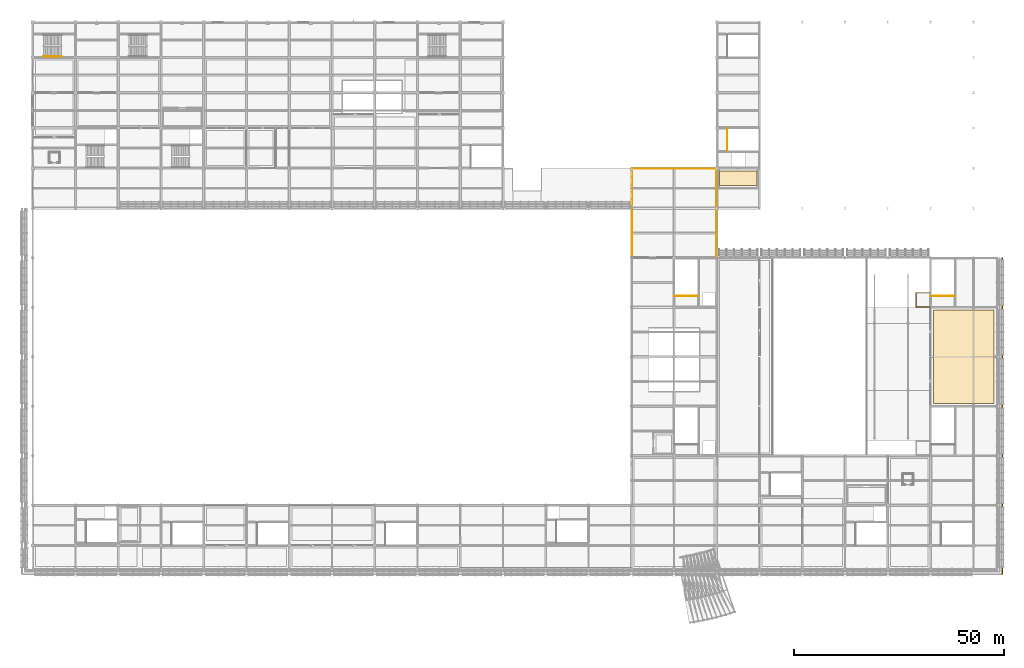
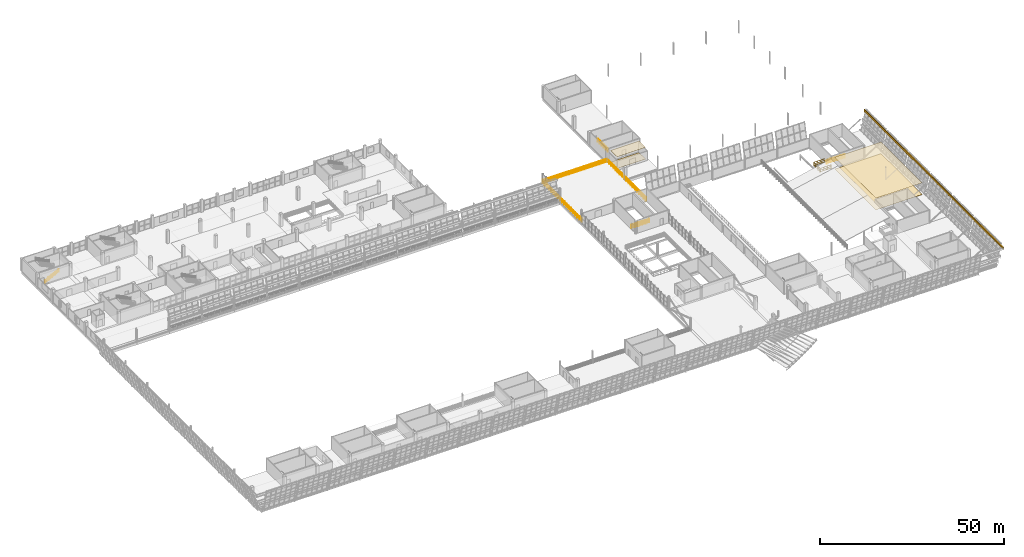
# One storey, part 155 of 157: 9 railings, 4 coverings.
"""IFC4 building model written with IfcOpenShell, lengths in metres."""

from ifc_helpers import new_model, si_unit, direction, frame, origin, origin_2d, place, context, subcontext, project, spatial, polyline, rectangle, circle, outline, extrude, material, layer, layer_set, type_object, element, save


model = new_model("IFC4")

# Units and contexts
model_context = context("Model", 3, precision=1e-05, world=origin(), true_north=direction((0.0, 1.0)))
body_context = subcontext(model_context, "Body", "Model", "MODEL_VIEW")
ifc_project = project(units=[si_unit("LENGTHUNIT", "METRE"), si_unit("AREAUNIT", "SQUARE_METRE"), si_unit("VOLUMEUNIT", "CUBIC_METRE"), si_unit("PLANEANGLEUNIT", "RADIAN"), si_unit("MASSUNIT", "GRAM", prefix="KILO")], contexts=[model_context])

# Site, building, storey
site_placement = place(None, origin())
site = spatial("IfcSite", under=ifc_project, at=site_placement, CompositionType="ELEMENT")
building_placement = place(site_placement, origin())
building = spatial("IfcBuilding", under=site, at=building_placement, Name="Brelvane Convention Centre", CompositionType="ELEMENT")
storey_placement = place(building_placement, frame((0.0, 0.0, 10.800048828125)))
storey = spatial("IfcBuildingStorey", under=building, at=storey_placement, Name="L02", CompositionType="ELEMENT", Elevation=10.800048828125)

# Coverings
ifc_material_1 = material(Name="Moisture-Resistant Acoustic Gypsum Ceiling Tile Grade A")
ifc_layer_1 = layer(ifc_material_1, 0.02490234375)
ifc_layer_set_1 = layer_set([ifc_layer_1], Name="Moisture-Resistant Acoustic Gypsum Ceiling Tile Grade A")
covering_type_1 = type_object("IfcCoveringType", Name="Interior Finish CL-GYP-25", PredefinedType="CEILING", material=ifc_layer_set_1)
covering_1_placement = place(storey_placement, frame((0.0, 0.0, 3.875)))
element("IfcCovering", 1, at=covering_1_placement, inside=storey, type_object=covering_type_1, Name="Simultaneous Interpretation Suite Acoustic Ceiling (CL-GYP-25)", PredefinedType="CEILING", context=body_context, shape_type="SweptSolid", body=[
    extrude(outline(polyline([(214.830078125, 53.030029296875), (229.3701171875, 53.030029296875), (229.3701171875, 75.3701171875), (214.830078125, 75.3701171875), (214.830078125, 53.030029296875)])), origin(), (0.0, 0.0, 1.0), 0.02490234375),
])
ifc_material_2 = material(Name="Moisture-Resistant Acoustic Gypsum Ceiling Tile Grade A")
ifc_layer_2 = layer(ifc_material_2, 0.0419921875)
ifc_layer_set_2 = layer_set([ifc_layer_2], Name="Moisture-Resistant Acoustic Gypsum Ceiling Tile Grade A")
covering_type_2 = type_object("IfcCoveringType", Name="Interior Finish CL-GYP-42", PredefinedType="CEILING", material=ifc_layer_set_2)
covering_2_placement = place(storey_placement, frame((0.0, 0.0, 3.85791015625)))
element("IfcCovering", 2, at=covering_2_placement, inside=storey, type_object=covering_type_2, Name="Firefighting Lift Lobby C5 Acoustic Ceiling (CL-GYP-42)", PredefinedType="CEILING", context=body_context, shape_type="SweptSolid", body=[
    extrude(outline(polyline([(163.830078125, 105.030029296875), (172.77001953125, 105.030029296875), (172.77001953125, 108.570068359375), (163.830078125, 108.570068359375), (163.830078125, 105.030029296875)])), origin(), (0.0, 0.0, 1.0), 0.0419921875),
])
ifc_material_3 = material(Name="Solution-Dyed Heavy Contract Wool Carpet Class 1")
ifc_layer_3 = layer(ifc_material_3, 0.028076171875)
ifc_layer_set_3 = layer_set([ifc_layer_3], Name="Solution-Dyed Heavy Contract Wool Carpet Class 1")
covering_type_3 = type_object("IfcCoveringType", Name="Interior Finish FL-CPT-28", PredefinedType="FLOORING", material=ifc_layer_set_3)
covering_3_placement = place(storey_placement, origin())
element("IfcCovering", 3, at=covering_3_placement, inside=storey, type_object=covering_type_3, Name="Simultaneous Interpretation Suite Floor Finish (FL-CPT-28)", PredefinedType="FLOORING", context=body_context, shape_type="SweptSolid", body=[
    extrude(outline(polyline([(214.830078125, 53.030029296875), (229.3701171875, 53.030029296875), (229.3701171875, 75.3701171875), (214.830078125, 75.3701171875), (214.830078125, 53.030029296875)])), origin(), (0.0, 0.0, 1.0), 0.02783203125),
])
ifc_material_4 = material(Name="Polished Basalt-Aggregate Terrazzo Screed Concrete M30", Category="masonry")
ifc_layer_4 = layer(ifc_material_4, 0.054931640625)
ifc_layer_set_4 = layer_set([ifc_layer_4], Name="Polished Basalt-Aggregate Terrazzo Screed Concrete M30")
covering_type_4 = type_object("IfcCoveringType", Name="Interior Finish FL-STN-55", PredefinedType="FLOORING", material=ifc_layer_set_4)
covering_4_placement = place(storey_placement, origin())
element("IfcCovering", 4, at=covering_4_placement, inside=storey, type_object=covering_type_4, Name="Firefighting Lift Lobby C5 Floor Finish (FL-STN-55)", PredefinedType="FLOORING", context=body_context, shape_type="SweptSolid", body=[
    extrude(outline(polyline([(163.830078125, 105.030029296875), (172.77001953125, 105.030029296875), (172.77001953125, 108.570068359375), (163.830078125, 108.570068359375), (163.830078125, 105.030029296875)])), origin(), (0.0, 0.0, 1.0), 0.054931640625),
])

# Railings
ifc_material_5 = material(Name="Steel E350 (350 MPa)", Category="steel")
railing_type_1 = type_object("IfcRailingType", Name="Railing BL-ATR-2", PredefinedType="BALUSTRADE", material=ifc_material_5)
railing_1_placement = place(storey_placement, frame((214.10009765625, 79.5, 0.0)))
element("IfcRailing", 5, at=railing_1_placement, inside=storey, type_object=railing_type_1, Name="Railing BL-ATR-2 L02-plen_vom2_n_guard", PredefinedType="BALUSTRADE", context=body_context, shape_type="SweptSolid", body=[
    extrude(circle(Radius=0.02392578125, at=origin_2d()), frame((0.0, 0.0, 1.19580078125), z_axis=(-1.0, 0.0, 0.0), x_axis=(0.0, -1.0, 0.0)), (0.0, 0.0, 1.0), 3.400146484375),
    extrude(circle(Radius=0.02392578125, at=origin_2d()), frame((0.0, 0.0, 0.63427734375), z_axis=(-1.0, 0.0, 0.0), x_axis=(0.0, -1.0, 0.0)), (0.0, 0.0, 1.0), 3.400146484375),
    extrude(circle(Radius=0.02392578125, at=origin_2d()), frame((0.0, 0.0, 0.139892578125), z_axis=(-1.0, 0.0, 0.0), x_axis=(0.0, -1.0, 0.0)), (0.0, 0.0, 1.0), 3.400146484375),
    extrude(circle(Radius=0.02392578125, at=origin_2d()), frame((-3.400146484375, 0.0, 1.19580078125), z_axis=(0.0, -1.0, 0.0), x_axis=(1.0, 0.0, 0.0)), (0.0, 0.0, 1.0), 3.39990234375),
    extrude(circle(Radius=0.02392578125, at=origin_2d()), frame((-3.400146484375, 0.0, 0.63427734375), z_axis=(0.0, -1.0, 0.0), x_axis=(1.0, 0.0, 0.0)), (0.0, 0.0, 1.0), 3.39990234375),
    extrude(circle(Radius=0.02392578125, at=origin_2d()), frame((-3.400146484375, 0.0, 0.139892578125), z_axis=(0.0, -1.0, 0.0), x_axis=(1.0, 0.0, 0.0)), (0.0, 0.0, 1.0), 3.39990234375),
    extrude(circle(Radius=0.02392578125, at=origin_2d()), frame((-3.400146484375, -3.39990234375, 1.19580078125), z_axis=(1.0, 0.0, 0.0), x_axis=(0.0, 1.0, 0.0)), (0.0, 0.0, 1.0), 3.400146484375),
    extrude(circle(Radius=0.02392578125, at=origin_2d()), frame((-3.400146484375, -3.39990234375, 0.63427734375), z_axis=(1.0, 0.0, 0.0), x_axis=(0.0, 1.0, 0.0)), (0.0, 0.0, 1.0), 3.400146484375),
    extrude(circle(Radius=0.02392578125, at=origin_2d()), frame((-3.400146484375, -3.39990234375, 0.139892578125), z_axis=(1.0, 0.0, 0.0), x_axis=(0.0, 1.0, 0.0)), (0.0, 0.0, 1.0), 3.400146484375),
    extrude(circle(Radius=0.02099609375, at=origin_2d()), origin(), (0.0, 0.0, 1.0), 1.171875),
    extrude(circle(Radius=0.02099609375, at=origin_2d()), frame((-1.13330078125, 0.0, 0.0)), (0.0, 0.0, 1.0), 1.171875),
    extrude(circle(Radius=0.02099609375, at=origin_2d()), frame((-2.266845703125, 0.0, 0.0)), (0.0, 0.0, 1.0), 1.171875),
    extrude(circle(Radius=0.02099609375, at=origin_2d()), frame((-3.400146484375, 0.0, 0.0)), (0.0, 0.0, 1.0), 1.171875),
    extrude(circle(Radius=0.02099609375, at=origin_2d()), frame((-3.400146484375, -1.13330078125, 0.0)), (0.0, 0.0, 1.0), 1.171875),
    extrude(circle(Radius=0.02099609375, at=origin_2d()), frame((-3.400146484375, -2.2666015625, 0.0)), (0.0, 0.0, 1.0), 1.171875),
    extrude(circle(Radius=0.02099609375, at=origin_2d()), frame((-3.400146484375, -3.39990234375, 0.0)), (0.0, 0.0, 1.0), 1.171875),
    extrude(circle(Radius=0.02099609375, at=origin_2d()), frame((-2.266845703125, -3.39990234375, 0.0)), (0.0, 0.0, 1.0), 1.171875),
    extrude(circle(Radius=0.02099609375, at=origin_2d()), frame((-1.13330078125, -3.39990234375, 0.0)), (0.0, 0.0, 1.0), 1.171875),
    extrude(circle(Radius=0.02099609375, at=origin_2d()), frame((0.0, -3.39990234375, 0.0)), (0.0, 0.0, 1.0), 1.171875),
])
ifc_material_6 = material(Name="Steel E350 (350 MPa)", Category="steel")
railing_type_2 = type_object("IfcRailingType", Name="Railing BL-CU-1", PredefinedType="BALUSTRADE", material=ifc_material_6)
railing_2_placement = place(storey_placement, frame((231.306884765625, 12.29296875, 5.39990234375)))
element("IfcRailing", 6, at=railing_2_placement, inside=storey, type_object=railing_type_2, Name="Railing BL-CU-1 L02-cu_hull_e_6", PredefinedType="BALUSTRADE", context=body_context, shape_type="SweptSolid", body=[
    extrude(rectangle(XDim=0.280029296875, YDim=0.6201171875, at=origin_2d()), frame((0.0, 0.0, 0.81005859375), z_axis=(0.0, 1.0, 0.0), x_axis=(-1.0, 0.0, 0.0)), (0.0, 0.0, 1.0), 75.507080078125),
    extrude(circle(Radius=0.02099609375, at=origin_2d()), origin(), (0.0, 0.0, 1.0), 1.072021484375),
    extrude(circle(Radius=0.02099609375, at=origin_2d()), frame((0.0, 1.198486328125, 0.0)), (0.0, 0.0, 1.0), 1.072021484375),
    extrude(circle(Radius=0.02099609375, at=origin_2d()), frame((0.0, 2.39697265625, 0.0)), (0.0, 0.0, 1.0), 1.072021484375),
    extrude(circle(Radius=0.02099609375, at=origin_2d()), frame((0.0, 3.595458984375, 0.0)), (0.0, 0.0, 1.0), 1.072021484375),
    extrude(circle(Radius=0.02099609375, at=origin_2d()), frame((0.0, 4.794189453125, 0.0)), (0.0, 0.0, 1.0), 1.072021484375),
    extrude(circle(Radius=0.02099609375, at=origin_2d()), frame((0.0, 5.99267578125, 0.0)), (0.0, 0.0, 1.0), 1.072021484375),
    extrude(circle(Radius=0.02099609375, at=origin_2d()), frame((0.0, 7.191162109375, 0.0)), (0.0, 0.0, 1.0), 1.072021484375),
    extrude(circle(Radius=0.02099609375, at=origin_2d()), frame((0.0, 8.3896484375, 0.0)), (0.0, 0.0, 1.0), 1.072021484375),
    extrude(circle(Radius=0.02099609375, at=origin_2d()), frame((0.0, 9.588134765625, 0.0)), (0.0, 0.0, 1.0), 1.072021484375),
    extrude(circle(Radius=0.02099609375, at=origin_2d()), frame((0.0, 10.78662109375, 0.0)), (0.0, 0.0, 1.0), 1.072021484375),
    extrude(circle(Radius=0.02099609375, at=origin_2d()), frame((0.0, 11.9853515625, 0.0)), (0.0, 0.0, 1.0), 1.072021484375),
    extrude(circle(Radius=0.02099609375, at=origin_2d()), frame((0.0, 13.183837890625, 0.0)), (0.0, 0.0, 1.0), 1.072021484375),
    extrude(circle(Radius=0.02099609375, at=origin_2d()), frame((0.0, 14.38232421875, 0.0)), (0.0, 0.0, 1.0), 1.072021484375),
    extrude(circle(Radius=0.02099609375, at=origin_2d()), frame((0.0, 15.580810546875, 0.0)), (0.0, 0.0, 1.0), 1.072021484375),
    extrude(circle(Radius=0.02099609375, at=origin_2d()), frame((0.0, 16.779296875, 0.0)), (0.0, 0.0, 1.0), 1.072021484375),
    extrude(circle(Radius=0.02099609375, at=origin_2d()), frame((0.0, 17.977783203125, 0.0)), (0.0, 0.0, 1.0), 1.072021484375),
    extrude(circle(Radius=0.02099609375, at=origin_2d()), frame((0.0, 19.176513671875, 0.0)), (0.0, 0.0, 1.0), 1.072021484375),
    extrude(circle(Radius=0.02099609375, at=origin_2d()), frame((0.0, 20.375, 0.0)), (0.0, 0.0, 1.0), 1.072021484375),
    extrude(circle(Radius=0.02099609375, at=origin_2d()), frame((0.0, 21.573486328125, 0.0)), (0.0, 0.0, 1.0), 1.072021484375),
    extrude(circle(Radius=0.02099609375, at=origin_2d()), frame((0.0, 22.77197265625, 0.0)), (0.0, 0.0, 1.0), 1.072021484375),
    extrude(circle(Radius=0.02099609375, at=origin_2d()), frame((0.0, 23.970458984375, 0.0)), (0.0, 0.0, 1.0), 1.072021484375),
    extrude(circle(Radius=0.02099609375, at=origin_2d()), frame((0.0, 25.1689453125, 0.0)), (0.0, 0.0, 1.0), 1.072021484375),
    extrude(circle(Radius=0.02099609375, at=origin_2d()), frame((0.0, 26.367431640625, 0.0)), (0.0, 0.0, 1.0), 1.072021484375),
    extrude(circle(Radius=0.02099609375, at=origin_2d()), frame((0.0, 27.566162109375, 0.0)), (0.0, 0.0, 1.0), 1.072021484375),
    extrude(circle(Radius=0.02099609375, at=origin_2d()), frame((0.0, 28.7646484375, 0.0)), (0.0, 0.0, 1.0), 1.072021484375),
    extrude(circle(Radius=0.02099609375, at=origin_2d()), frame((0.0, 29.963134765625, 0.0)), (0.0, 0.0, 1.0), 1.072021484375),
    extrude(circle(Radius=0.02099609375, at=origin_2d()), frame((0.0, 31.16162109375, 0.0)), (0.0, 0.0, 1.0), 1.072021484375),
    extrude(circle(Radius=0.02099609375, at=origin_2d()), frame((0.0, 32.360107421875, 0.0)), (0.0, 0.0, 1.0), 1.072021484375),
    extrude(circle(Radius=0.02099609375, at=origin_2d()), frame((0.0, 33.55859375, 0.0)), (0.0, 0.0, 1.0), 1.072021484375),
    extrude(circle(Radius=0.02099609375, at=origin_2d()), frame((0.0, 34.75732421875, 0.0)), (0.0, 0.0, 1.0), 1.072021484375),
    extrude(circle(Radius=0.02099609375, at=origin_2d()), frame((0.0, 35.955810546875, 0.0)), (0.0, 0.0, 1.0), 1.072021484375),
    extrude(circle(Radius=0.02099609375, at=origin_2d()), frame((0.0, 37.154296875, 0.0)), (0.0, 0.0, 1.0), 1.072021484375),
    extrude(circle(Radius=0.02099609375, at=origin_2d()), frame((0.0, 38.352783203125, 0.0)), (0.0, 0.0, 1.0), 1.072021484375),
    extrude(circle(Radius=0.02099609375, at=origin_2d()), frame((0.0, 39.55126953125, 0.0)), (0.0, 0.0, 1.0), 1.072021484375),
    extrude(circle(Radius=0.02099609375, at=origin_2d()), frame((0.0, 40.749755859375, 0.0)), (0.0, 0.0, 1.0), 1.072021484375),
    extrude(circle(Radius=0.02099609375, at=origin_2d()), frame((0.0, 41.948486328125, 0.0)), (0.0, 0.0, 1.0), 1.072021484375),
    extrude(circle(Radius=0.02099609375, at=origin_2d()), frame((0.0, 43.14697265625, 0.0)), (0.0, 0.0, 1.0), 1.072021484375),
    extrude(circle(Radius=0.02099609375, at=origin_2d()), frame((0.0, 44.345458984375, 0.0)), (0.0, 0.0, 1.0), 1.072021484375),
    extrude(circle(Radius=0.02099609375, at=origin_2d()), frame((0.0, 45.5439453125, 0.0)), (0.0, 0.0, 1.0), 1.072021484375),
    extrude(circle(Radius=0.02099609375, at=origin_2d()), frame((0.0, 46.742431640625, 0.0)), (0.0, 0.0, 1.0), 1.072021484375),
    extrude(circle(Radius=0.02099609375, at=origin_2d()), frame((0.0, 47.94091796875, 0.0)), (0.0, 0.0, 1.0), 1.072021484375),
    extrude(circle(Radius=0.02099609375, at=origin_2d()), frame((0.0, 49.1396484375, 0.0)), (0.0, 0.0, 1.0), 1.072021484375),
    extrude(circle(Radius=0.02099609375, at=origin_2d()), frame((0.0, 50.338134765625, 0.0)), (0.0, 0.0, 1.0), 1.072021484375),
    extrude(circle(Radius=0.02099609375, at=origin_2d()), frame((0.0, 51.53662109375, 0.0)), (0.0, 0.0, 1.0), 1.072021484375),
    extrude(circle(Radius=0.02099609375, at=origin_2d()), frame((0.0, 52.735107421875, 0.0)), (0.0, 0.0, 1.0), 1.072021484375),
    extrude(circle(Radius=0.02099609375, at=origin_2d()), frame((0.0, 53.93359375, 0.0)), (0.0, 0.0, 1.0), 1.072021484375),
    extrude(circle(Radius=0.02099609375, at=origin_2d()), frame((0.0, 55.132080078125, 0.0)), (0.0, 0.0, 1.0), 1.072021484375),
    extrude(circle(Radius=0.02099609375, at=origin_2d()), frame((0.0, 56.33056640625, 0.0)), (0.0, 0.0, 1.0), 1.072021484375),
    extrude(circle(Radius=0.02099609375, at=origin_2d()), frame((0.0, 57.529296875, 0.0)), (0.0, 0.0, 1.0), 1.072021484375),
    extrude(circle(Radius=0.02099609375, at=origin_2d()), frame((0.0, 58.727783203125, 0.0)), (0.0, 0.0, 1.0), 1.072021484375),
    extrude(circle(Radius=0.02099609375, at=origin_2d()), frame((0.0, 59.92626953125, 0.0)), (0.0, 0.0, 1.0), 1.072021484375),
    extrude(circle(Radius=0.02099609375, at=origin_2d()), frame((0.0, 61.124755859375, 0.0)), (0.0, 0.0, 1.0), 1.072021484375),
    extrude(circle(Radius=0.02099609375, at=origin_2d()), frame((0.0, 62.3232421875, 0.0)), (0.0, 0.0, 1.0), 1.072021484375),
    extrude(circle(Radius=0.02099609375, at=origin_2d()), frame((0.0, 63.521728515625, 0.0)), (0.0, 0.0, 1.0), 1.072021484375),
    extrude(circle(Radius=0.02099609375, at=origin_2d()), frame((0.0, 64.720458984375, 0.0)), (0.0, 0.0, 1.0), 1.072021484375),
    extrude(circle(Radius=0.02099609375, at=origin_2d()), frame((0.0, 65.9189453125, 0.0)), (0.0, 0.0, 1.0), 1.072021484375),
    extrude(circle(Radius=0.02099609375, at=origin_2d()), frame((0.0, 67.117431640625, 0.0)), (0.0, 0.0, 1.0), 1.072021484375),
    extrude(circle(Radius=0.02099609375, at=origin_2d()), frame((0.0, 68.31591796875, 0.0)), (0.0, 0.0, 1.0), 1.072021484375),
    extrude(circle(Radius=0.02099609375, at=origin_2d()), frame((0.0, 69.514404296875, 0.0)), (0.0, 0.0, 1.0), 1.072021484375),
    extrude(circle(Radius=0.02099609375, at=origin_2d()), frame((0.0, 70.712890625, 0.0)), (0.0, 0.0, 1.0), 1.072021484375),
    extrude(circle(Radius=0.02099609375, at=origin_2d()), frame((0.0, 71.91162109375, 0.0)), (0.0, 0.0, 1.0), 1.072021484375),
    extrude(circle(Radius=0.02099609375, at=origin_2d()), frame((0.0, 73.110107421875, 0.0)), (0.0, 0.0, 1.0), 1.072021484375),
    extrude(circle(Radius=0.02099609375, at=origin_2d()), frame((0.0, 74.30859375, 0.0)), (0.0, 0.0, 1.0), 1.072021484375),
    extrude(circle(Radius=0.02099609375, at=origin_2d()), frame((0.0, 75.507080078125, 0.0)), (0.0, 0.0, 1.0), 1.072021484375),
])
ifc_material_7 = material(Name="Steel E350 (350 MPa)", Category="steel")
railing_type_3 = type_object("IfcRailingType", Name="Railing GR-EXT-1", PredefinedType="GUARDRAIL", material=ifc_material_7)
railing_3_placement = place(storey_placement, frame((142.949951171875, 88.0, 0.0)))
element("IfcRailing", 7, at=railing_3_placement, inside=storey, type_object=railing_type_3, Name="Railing GR-EXT-1 L02-rg_ball_w_s1", PredefinedType="GUARDRAIL", context=body_context, shape_type="SweptSolid", body=[
    extrude(circle(Radius=0.02392578125, at=origin_2d()), frame((0.0, 0.0, 1.1259765625), z_axis=(0.0, 1.0, 0.0), x_axis=(-1.0, 0.0, 0.0)), (0.0, 0.0, 1.0), 21.050048828125),
    extrude(circle(Radius=0.02392578125, at=origin_2d()), frame((0.0, 0.0, 0.597900390625), z_axis=(0.0, 1.0, 0.0), x_axis=(-1.0, 0.0, 0.0)), (0.0, 0.0, 1.0), 21.050048828125),
    extrude(circle(Radius=0.02392578125, at=origin_2d()), frame((0.0, 0.0, 0.139892578125), z_axis=(0.0, 1.0, 0.0), x_axis=(-1.0, 0.0, 0.0)), (0.0, 0.0, 1.0), 21.050048828125),
    extrude(circle(Radius=0.02099609375, at=origin_2d()), origin(), (0.0, 0.0, 1.0), 1.101806640625),
    extrude(circle(Radius=0.02099609375, at=origin_2d()), frame((0.0, 1.16943359375, 0.0)), (0.0, 0.0, 1.0), 1.101806640625),
    extrude(circle(Radius=0.02099609375, at=origin_2d()), frame((0.0, 2.3388671875, 0.0)), (0.0, 0.0, 1.0), 1.101806640625),
    extrude(circle(Radius=0.02099609375, at=origin_2d()), frame((0.0, 3.50830078125, 0.0)), (0.0, 0.0, 1.0), 1.101806640625),
    extrude(circle(Radius=0.02099609375, at=origin_2d()), frame((0.0, 4.677734375, 0.0)), (0.0, 0.0, 1.0), 1.101806640625),
    extrude(circle(Radius=0.02099609375, at=origin_2d()), frame((0.0, 5.84716796875, 0.0)), (0.0, 0.0, 1.0), 1.101806640625),
    extrude(circle(Radius=0.02099609375, at=origin_2d()), frame((0.0, 7.0166015625, 0.0)), (0.0, 0.0, 1.0), 1.101806640625),
    extrude(circle(Radius=0.02099609375, at=origin_2d()), frame((0.0, 8.18603515625, 0.0)), (0.0, 0.0, 1.0), 1.101806640625),
    extrude(circle(Radius=0.02099609375, at=origin_2d()), frame((0.0, 9.35546875, 0.0)), (0.0, 0.0, 1.0), 1.101806640625),
    extrude(circle(Radius=0.02099609375, at=origin_2d()), frame((0.0, 10.52490234375, 0.0)), (0.0, 0.0, 1.0), 1.101806640625),
    extrude(circle(Radius=0.02099609375, at=origin_2d()), frame((0.0, 11.694580078125, 0.0)), (0.0, 0.0, 1.0), 1.101806640625),
    extrude(circle(Radius=0.02099609375, at=origin_2d()), frame((0.0, 12.864013671875, 0.0)), (0.0, 0.0, 1.0), 1.101806640625),
    extrude(circle(Radius=0.02099609375, at=origin_2d()), frame((0.0, 14.033447265625, 0.0)), (0.0, 0.0, 1.0), 1.101806640625),
    extrude(circle(Radius=0.02099609375, at=origin_2d()), frame((0.0, 15.202880859375, 0.0)), (0.0, 0.0, 1.0), 1.101806640625),
    extrude(circle(Radius=0.02099609375, at=origin_2d()), frame((0.0, 16.372314453125, 0.0)), (0.0, 0.0, 1.0), 1.101806640625),
    extrude(circle(Radius=0.02099609375, at=origin_2d()), frame((0.0, 17.541748046875, 0.0)), (0.0, 0.0, 1.0), 1.101806640625),
    extrude(circle(Radius=0.02099609375, at=origin_2d()), frame((0.0, 18.711181640625, 0.0)), (0.0, 0.0, 1.0), 1.101806640625),
    extrude(circle(Radius=0.02099609375, at=origin_2d()), frame((0.0, 19.880615234375, 0.0)), (0.0, 0.0, 1.0), 1.101806640625),
    extrude(circle(Radius=0.02099609375, at=origin_2d()), frame((0.0, 21.050048828125, 0.0)), (0.0, 0.0, 1.0), 1.101806640625),
])
railing_4_placement = place(storey_placement, frame((142.949951171875, 109.050048828125, 0.0)))
element("IfcRailing", 8, at=railing_4_placement, inside=storey, type_object=railing_type_3, Name="Railing GR-EXT-1 L02-rg_ball_w_s2", PredefinedType="GUARDRAIL", context=body_context, shape_type="SweptSolid", body=[
    extrude(circle(Radius=0.02392578125, at=origin_2d()), frame((0.0, 0.0, 1.1259765625), z_axis=(1.0, 0.0, 0.0), x_axis=(0.0, 1.0, 0.0)), (0.0, 0.0, 1.0), 20.10009765625),
    extrude(circle(Radius=0.02392578125, at=origin_2d()), frame((0.0, 0.0, 0.597900390625), z_axis=(1.0, 0.0, 0.0), x_axis=(0.0, 1.0, 0.0)), (0.0, 0.0, 1.0), 20.10009765625),
    extrude(circle(Radius=0.02392578125, at=origin_2d()), frame((0.0, 0.0, 0.139892578125), z_axis=(1.0, 0.0, 0.0), x_axis=(0.0, 1.0, 0.0)), (0.0, 0.0, 1.0), 20.10009765625),
    extrude(circle(Radius=0.02099609375, at=origin_2d()), origin(), (0.0, 0.0, 1.0), 1.101806640625),
    extrude(circle(Radius=0.02099609375, at=origin_2d()), frame((1.182373046875, 0.0, 0.0)), (0.0, 0.0, 1.0), 1.101806640625),
    extrude(circle(Radius=0.02099609375, at=origin_2d()), frame((2.36474609375, 0.0, 0.0)), (0.0, 0.0, 1.0), 1.101806640625),
    extrude(circle(Radius=0.02099609375, at=origin_2d()), frame((3.547119140625, 0.0, 0.0)), (0.0, 0.0, 1.0), 1.101806640625),
    extrude(circle(Radius=0.02099609375, at=origin_2d()), frame((4.7294921875, 0.0, 0.0)), (0.0, 0.0, 1.0), 1.101806640625),
    extrude(circle(Radius=0.02099609375, at=origin_2d()), frame((5.911865234375, 0.0, 0.0)), (0.0, 0.0, 1.0), 1.101806640625),
    extrude(circle(Radius=0.02099609375, at=origin_2d()), frame((7.09423828125, 0.0, 0.0)), (0.0, 0.0, 1.0), 1.101806640625),
    extrude(circle(Radius=0.02099609375, at=origin_2d()), frame((8.276611328125, 0.0, 0.0)), (0.0, 0.0, 1.0), 1.101806640625),
    extrude(circle(Radius=0.02099609375, at=origin_2d()), frame((9.458984375, 0.0, 0.0)), (0.0, 0.0, 1.0), 1.101806640625),
    extrude(circle(Radius=0.02099609375, at=origin_2d()), frame((10.64111328125, 0.0, 0.0)), (0.0, 0.0, 1.0), 1.101806640625),
    extrude(circle(Radius=0.02099609375, at=origin_2d()), frame((11.823486328125, 0.0, 0.0)), (0.0, 0.0, 1.0), 1.101806640625),
    extrude(circle(Radius=0.02099609375, at=origin_2d()), frame((13.005859375, 0.0, 0.0)), (0.0, 0.0, 1.0), 1.101806640625),
    extrude(circle(Radius=0.02099609375, at=origin_2d()), frame((14.188232421875, 0.0, 0.0)), (0.0, 0.0, 1.0), 1.101806640625),
    extrude(circle(Radius=0.02099609375, at=origin_2d()), frame((15.37060546875, 0.0, 0.0)), (0.0, 0.0, 1.0), 1.101806640625),
    extrude(circle(Radius=0.02099609375, at=origin_2d()), frame((16.552978515625, 0.0, 0.0)), (0.0, 0.0, 1.0), 1.101806640625),
    extrude(circle(Radius=0.02099609375, at=origin_2d()), frame((17.7353515625, 0.0, 0.0)), (0.0, 0.0, 1.0), 1.101806640625),
    extrude(circle(Radius=0.02099609375, at=origin_2d()), frame((18.917724609375, 0.0, 0.0)), (0.0, 0.0, 1.0), 1.101806640625),
    extrude(circle(Radius=0.02099609375, at=origin_2d()), frame((20.10009765625, 0.0, 0.0)), (0.0, 0.0, 1.0), 1.101806640625),
])
railing_5_placement = place(storey_placement, frame((163.050048828125, 109.050048828125, 0.0)))
element("IfcRailing", 9, at=railing_5_placement, inside=storey, type_object=railing_type_3, Name="Railing GR-EXT-1 L02-rg_ball_w_s3", PredefinedType="GUARDRAIL", context=body_context, shape_type="SweptSolid", body=[
    extrude(circle(Radius=0.02392578125, at=origin_2d()), frame((0.0, 0.0, 1.1259765625), z_axis=(0.0, -1.0, 0.0), x_axis=(1.0, 0.0, 0.0)), (0.0, 0.0, 1.0), 21.050048828125),
    extrude(circle(Radius=0.02392578125, at=origin_2d()), frame((0.0, 0.0, 0.597900390625), z_axis=(0.0, -1.0, 0.0), x_axis=(1.0, 0.0, 0.0)), (0.0, 0.0, 1.0), 21.050048828125),
    extrude(circle(Radius=0.02392578125, at=origin_2d()), frame((0.0, 0.0, 0.139892578125), z_axis=(0.0, -1.0, 0.0), x_axis=(1.0, 0.0, 0.0)), (0.0, 0.0, 1.0), 21.050048828125),
    extrude(circle(Radius=0.02099609375, at=origin_2d()), origin(), (0.0, 0.0, 1.0), 1.101806640625),
    extrude(circle(Radius=0.02099609375, at=origin_2d()), frame((0.0, -1.16943359375, 0.0)), (0.0, 0.0, 1.0), 1.101806640625),
    extrude(circle(Radius=0.02099609375, at=origin_2d()), frame((0.0, -2.3388671875, 0.0)), (0.0, 0.0, 1.0), 1.101806640625),
    extrude(circle(Radius=0.02099609375, at=origin_2d()), frame((0.0, -3.50830078125, 0.0)), (0.0, 0.0, 1.0), 1.101806640625),
    extrude(circle(Radius=0.02099609375, at=origin_2d()), frame((0.0, -4.677734375, 0.0)), (0.0, 0.0, 1.0), 1.101806640625),
    extrude(circle(Radius=0.02099609375, at=origin_2d()), frame((0.0, -5.84716796875, 0.0)), (0.0, 0.0, 1.0), 1.101806640625),
    extrude(circle(Radius=0.02099609375, at=origin_2d()), frame((0.0, -7.0166015625, 0.0)), (0.0, 0.0, 1.0), 1.101806640625),
    extrude(circle(Radius=0.02099609375, at=origin_2d()), frame((0.0, -8.18603515625, 0.0)), (0.0, 0.0, 1.0), 1.101806640625),
    extrude(circle(Radius=0.02099609375, at=origin_2d()), frame((0.0, -9.35546875, 0.0)), (0.0, 0.0, 1.0), 1.101806640625),
    extrude(circle(Radius=0.02099609375, at=origin_2d()), frame((0.0, -10.52490234375, 0.0)), (0.0, 0.0, 1.0), 1.101806640625),
    extrude(circle(Radius=0.02099609375, at=origin_2d()), frame((0.0, -11.694580078125, 0.0)), (0.0, 0.0, 1.0), 1.101806640625),
    extrude(circle(Radius=0.02099609375, at=origin_2d()), frame((0.0, -12.864013671875, 0.0)), (0.0, 0.0, 1.0), 1.101806640625),
    extrude(circle(Radius=0.02099609375, at=origin_2d()), frame((0.0, -14.033447265625, 0.0)), (0.0, 0.0, 1.0), 1.101806640625),
    extrude(circle(Radius=0.02099609375, at=origin_2d()), frame((0.0, -15.202880859375, 0.0)), (0.0, 0.0, 1.0), 1.101806640625),
    extrude(circle(Radius=0.02099609375, at=origin_2d()), frame((0.0, -16.372314453125, 0.0)), (0.0, 0.0, 1.0), 1.101806640625),
    extrude(circle(Radius=0.02099609375, at=origin_2d()), frame((0.0, -17.541748046875, 0.0)), (0.0, 0.0, 1.0), 1.101806640625),
    extrude(circle(Radius=0.02099609375, at=origin_2d()), frame((0.0, -18.711181640625, 0.0)), (0.0, 0.0, 1.0), 1.101806640625),
    extrude(circle(Radius=0.02099609375, at=origin_2d()), frame((0.0, -19.880615234375, 0.0)), (0.0, 0.0, 1.0), 1.101806640625),
    extrude(circle(Radius=0.02099609375, at=origin_2d()), frame((0.0, -21.050048828125, 0.0)), (0.0, 0.0, 1.0), 1.101806640625),
])
ifc_material_8 = material(Name="Steel E350 (350 MPa)", Category="steel")
railing_type_4 = type_object("IfcRailingType", Name="Stair Railing GR-ST-2", PredefinedType="GUARDRAIL", material=ifc_material_8)
railing_6_placement = place(storey_placement, frame((153.1201171875, 78.68994140625, -0.02001953125)))
element("IfcRailing", 10, at=railing_6_placement, inside=storey, type_object=railing_type_4, Name="Stair ST-04 L02 Top Well Guard", PredefinedType="GUARDRAIL", context=body_context, shape_type="SweptSolid", body=[
    extrude(circle(Radius=0.02392578125, at=origin_2d()), frame((0.0, 0.0, 1.15576171875), z_axis=(1.0, 0.0, 0.0), x_axis=(0.0, 1.0, 0.0)), (0.0, 0.0, 1.0), 5.559814453125),
    extrude(circle(Radius=0.02392578125, at=origin_2d()), frame((0.0, 0.0, 0.613525390625), z_axis=(1.0, 0.0, 0.0), x_axis=(0.0, 1.0, 0.0)), (0.0, 0.0, 1.0), 5.559814453125),
    extrude(circle(Radius=0.02392578125, at=origin_2d()), frame((0.0, 0.0, 0.139892578125), z_axis=(1.0, 0.0, 0.0), x_axis=(0.0, 1.0, 0.0)), (0.0, 0.0, 1.0), 5.559814453125),
    extrude(circle(Radius=0.02099609375, at=origin_2d()), origin(), (0.0, 0.0, 1.0), 1.1318359375),
    extrude(circle(Radius=0.02099609375, at=origin_2d()), frame((1.112060546875, 0.0, 0.0)), (0.0, 0.0, 1.0), 1.1318359375),
    extrude(circle(Radius=0.02099609375, at=origin_2d()), frame((2.223876953125, 0.0, 0.0)), (0.0, 0.0, 1.0), 1.1318359375),
    extrude(circle(Radius=0.02099609375, at=origin_2d()), frame((3.3359375, 0.0, 0.0)), (0.0, 0.0, 1.0), 1.1318359375),
    extrude(circle(Radius=0.02099609375, at=origin_2d()), frame((4.44775390625, 0.0, 0.0)), (0.0, 0.0, 1.0), 1.1318359375),
    extrude(circle(Radius=0.02099609375, at=origin_2d()), frame((5.559814453125, 0.0, 0.0)), (0.0, 0.0, 1.0), 1.1318359375),
])
railing_7_placement = place(storey_placement, frame((165.68994140625, 113.320068359375, -0.02001953125)))
element("IfcRailing", 11, at=railing_7_placement, inside=storey, type_object=railing_type_4, Name="Stair ST-05 L02 Top Well Guard", PredefinedType="GUARDRAIL", context=body_context, shape_type="SweptSolid", body=[
    extrude(circle(Radius=0.02392578125, at=origin_2d()), frame((0.0, 0.0, 1.15576171875), z_axis=(0.0, 1.0, 0.0), x_axis=(-1.0, 0.0, 0.0)), (0.0, 0.0, 1.0), 5.35986328125),
    extrude(circle(Radius=0.02392578125, at=origin_2d()), frame((0.0, 0.0, 0.613525390625), z_axis=(0.0, 1.0, 0.0), x_axis=(-1.0, 0.0, 0.0)), (0.0, 0.0, 1.0), 5.35986328125),
    extrude(circle(Radius=0.02392578125, at=origin_2d()), frame((0.0, 0.0, 0.139892578125), z_axis=(0.0, 1.0, 0.0), x_axis=(-1.0, 0.0, 0.0)), (0.0, 0.0, 1.0), 5.35986328125),
    extrude(circle(Radius=0.02099609375, at=origin_2d()), origin(), (0.0, 0.0, 1.0), 1.1318359375),
    extrude(circle(Radius=0.02099609375, at=origin_2d()), frame((0.0, 1.072021484375, 0.0)), (0.0, 0.0, 1.0), 1.1318359375),
    extrude(circle(Radius=0.02099609375, at=origin_2d()), frame((0.0, 2.14404296875, 0.0)), (0.0, 0.0, 1.0), 1.1318359375),
    extrude(circle(Radius=0.02099609375, at=origin_2d()), frame((0.0, 3.2158203125, 0.0)), (0.0, 0.0, 1.0), 1.1318359375),
    extrude(circle(Radius=0.02099609375, at=origin_2d()), frame((0.0, 4.287841796875, 0.0)), (0.0, 0.0, 1.0), 1.1318359375),
    extrude(circle(Radius=0.02099609375, at=origin_2d()), frame((0.0, 5.35986328125, 0.0)), (0.0, 0.0, 1.0), 1.1318359375),
])
railing_8_placement = place(storey_placement, frame((214.320068359375, 78.68994140625, -0.02001953125)))
element("IfcRailing", 12, at=railing_8_placement, inside=storey, type_object=railing_type_4, Name="Stair ST-16 L02 Top Well Guard", PredefinedType="GUARDRAIL", context=body_context, shape_type="SweptSolid", body=[
    extrude(circle(Radius=0.02392578125, at=origin_2d()), frame((0.0, 0.0, 1.15576171875), z_axis=(1.0, 0.0, 0.0), x_axis=(0.0, 1.0, 0.0)), (0.0, 0.0, 1.0), 5.559814453125),
    extrude(circle(Radius=0.02392578125, at=origin_2d()), frame((0.0, 0.0, 0.613525390625), z_axis=(1.0, 0.0, 0.0), x_axis=(0.0, 1.0, 0.0)), (0.0, 0.0, 1.0), 5.559814453125),
    extrude(circle(Radius=0.02392578125, at=origin_2d()), frame((0.0, 0.0, 0.139892578125), z_axis=(1.0, 0.0, 0.0), x_axis=(0.0, 1.0, 0.0)), (0.0, 0.0, 1.0), 5.559814453125),
    extrude(circle(Radius=0.02099609375, at=origin_2d()), origin(), (0.0, 0.0, 1.0), 1.1318359375),
    extrude(circle(Radius=0.02099609375, at=origin_2d()), frame((1.112060546875, 0.0, 0.0)), (0.0, 0.0, 1.0), 1.1318359375),
    extrude(circle(Radius=0.02099609375, at=origin_2d()), frame((2.223876953125, 0.0, 0.0)), (0.0, 0.0, 1.0), 1.1318359375),
    extrude(circle(Radius=0.02099609375, at=origin_2d()), frame((3.3359375, 0.0, 0.0)), (0.0, 0.0, 1.0), 1.1318359375),
    extrude(circle(Radius=0.02099609375, at=origin_2d()), frame((4.44775390625, 0.0, 0.0)), (0.0, 0.0, 1.0), 1.1318359375),
    extrude(circle(Radius=0.02099609375, at=origin_2d()), frame((5.559814453125, 0.0, 0.0)), (0.0, 0.0, 1.0), 1.1318359375),
])
ifc_material_9 = material(Name="Steel E350 (350 MPa)", Category="steel")
railing_type_5 = type_object("IfcRailingType", Name="Stair Railing HR-ST-1", PredefinedType="HANDRAIL", material=ifc_material_9)
railing_9_placement = place(storey_placement, frame((2.550048828125, 135.830078125, -0.02001953125)))
element("IfcRailing", 13, at=railing_9_placement, inside=storey, type_object=railing_type_5, Name="Stair ST-17 L02 Outer Handrail F1", PredefinedType="HANDRAIL", context=body_context, shape_type="SweptSolid", body=[
    extrude(circle(Radius=0.02392578125, at=origin_2d()), frame((0.0, 0.0, 0.89599609375), z_axis=(0.896519325311, 0.0, 0.443004626774), x_axis=(0.0, 1.0, 0.0)), (0.0, 0.0, 1.0), 4.78515625),
    extrude(circle(Radius=0.02392578125, at=origin_2d()), frame((0.0, 0.0, 0.478271484375), z_axis=(0.896519325311, 0.0, 0.443004626774), x_axis=(0.0, 1.0, 0.0)), (0.0, 0.0, 1.0), 4.78515625),
    extrude(circle(Radius=0.02392578125, at=origin_2d()), frame((0.0, 0.0, 0.139892578125), z_axis=(0.896519325311, 0.0, 0.443004626774), x_axis=(0.0, 1.0, 0.0)), (0.0, 0.0, 1.0), 4.78515625),
    extrude(circle(Radius=0.02099609375, at=origin_2d()), origin(), (0.0, 0.0, 1.0), 0.871826171875),
    extrude(circle(Radius=0.02099609375, at=origin_2d()), frame((1.072509765625, 0.0, 0.530029296875)), (0.0, 0.0, 1.0), 0.871826171875),
    extrude(circle(Radius=0.02099609375, at=origin_2d()), frame((2.14501953125, 0.0, 1.06005859375)), (0.0, 0.0, 1.0), 0.871826171875),
    extrude(circle(Radius=0.02099609375, at=origin_2d()), frame((3.217529296875, 0.0, 1.58984375)), (0.0, 0.0, 1.0), 0.871826171875),
    extrude(circle(Radius=0.02099609375, at=origin_2d()), frame((4.2900390625, 0.0, 2.119873046875)), (0.0, 0.0, 1.0), 0.871826171875),
])

save(model, "model.ifc")
